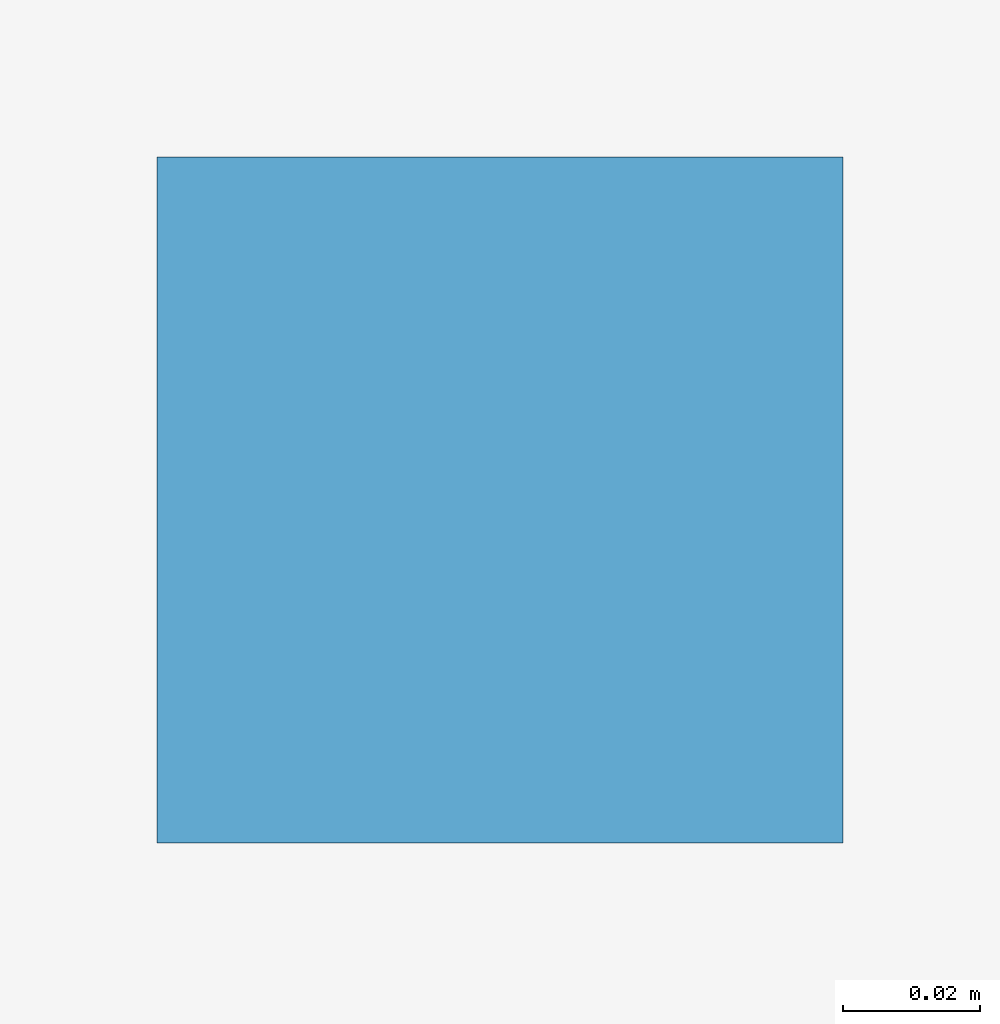
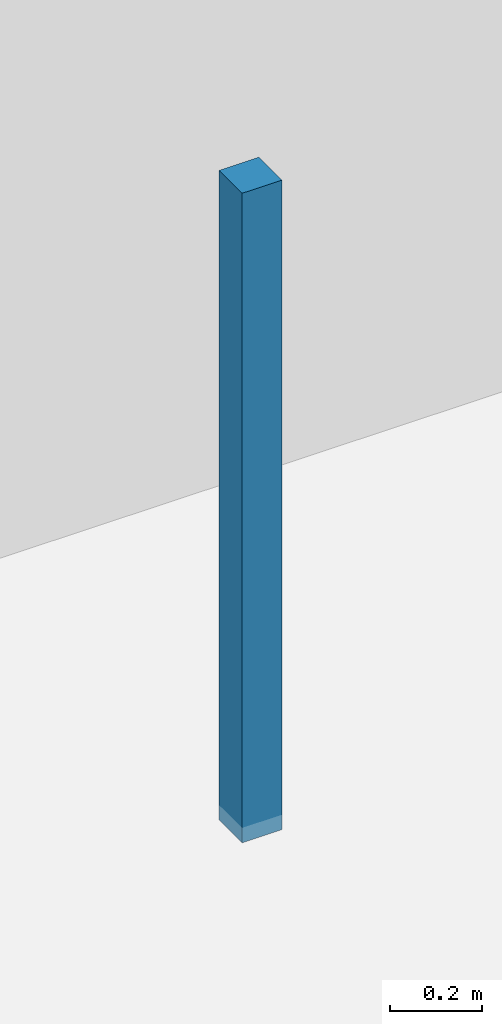
# One storey, part 70 of 85: 1 discrete accessory.
"""IFC4 building model written with IfcOpenShell, lengths in metres."""

from ifc_helpers import new_model, si_unit, direction, frame, origin, origin_2d, place, context, subcontext, project, spatial, rectangle, extrude, material, type_object, element, save


model = new_model("IFC4")

# Units and contexts
model_context = context("Model", 3, precision=1e-05, world=origin(), true_north=direction((0.0, 1.0)))
body_context = subcontext(model_context, "Body", "Model", "MODEL_VIEW")
ifc_project = project(units=[si_unit("LENGTHUNIT", "METRE"), si_unit("AREAUNIT", "SQUARE_METRE"), si_unit("VOLUMEUNIT", "CUBIC_METRE"), si_unit("PLANEANGLEUNIT", "RADIAN"), si_unit("MASSUNIT", "GRAM", prefix="KILO"), si_unit("THERMODYNAMICTEMPERATUREUNIT", "KELVIN"), si_unit("POWERUNIT", "WATT")], contexts=[model_context])

# Site, building, storey
site_placement = place(None, origin())
site = spatial("IfcSite", under=ifc_project, at=site_placement, CompositionType="ELEMENT")
building_placement = place(site_placement, origin())
building = spatial("IfcBuilding", under=site, at=building_placement, Name="Solmara Park Aquatics Centre", CompositionType="ELEMENT")
storey_placement = place(building_placement, origin())
storey = spatial("IfcBuildingStorey", under=building, at=storey_placement, Name="L00", CompositionType="ELEMENT", Elevation=0.0)

# Discrete accessory
ifc_material = material(Name="Galvanised Steel Ceiling Suspension Bracket", Category="steel")
discrete_accessory_type = type_object("IfcDiscreteAccessoryType", Name="ARC-ACC-HNG", PredefinedType="BRACKET", material=ifc_material)
discrete_accessory_placement = place(storey_placement, frame((191.699951171875, 71.10009765625, 3.3798828125), z_axis=(0.0, 0.0, 1.0), x_axis=(1.0, 0.0, 0.0)))
element("IfcDiscreteAccessory", 1, at=discrete_accessory_placement, inside=storey, type_object=discrete_accessory_type, Name="Ceiling Hanger Bracket L00-RET-01", PredefinedType="BRACKET", context=body_context, shape_type="SweptSolid", body=[
    extrude(rectangle(XDim=0.10009765625, YDim=0.10009765625, at=origin_2d()), origin(), (0.0, 0.0, 1.0), 1.719970703125),
])

save(model, "model.ifc")
